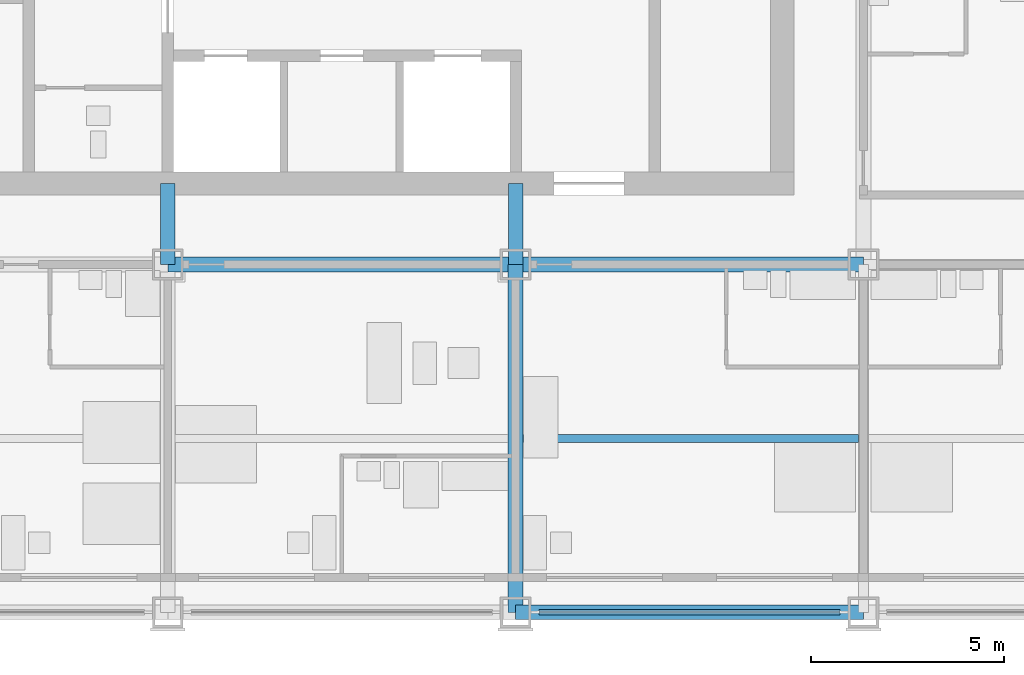
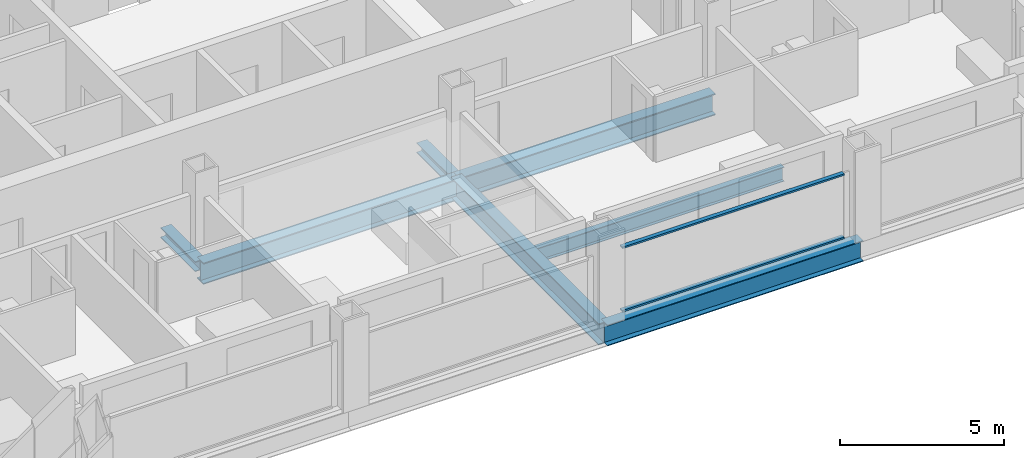
# One storey, part 3 of 13: 5 beams, 4 members, 1 element without a shape of its own.
"""IFC4 building model written with IfcOpenShell, lengths in metres."""

from ifc_helpers import new_model, si_unit, direction, frame, origin, origin_2d, place, context, subcontext, project, spatial, rectangle, i_section, extrude, material, material_profile, profile_set, type_object, element, aggregate, save


model = new_model("IFC4")

# Units and contexts
model_context = context("Model", 3, precision=1e-05, world=origin(), true_north=direction((0.0, 1.0)))
body_context = subcontext(model_context, "Body", "Model", "MODEL_VIEW")
ifc_project = project(units=[si_unit("LENGTHUNIT", "METRE"), si_unit("AREAUNIT", "SQUARE_METRE"), si_unit("VOLUMEUNIT", "CUBIC_METRE"), si_unit("PLANEANGLEUNIT", "RADIAN"), si_unit("MASSUNIT", "GRAM", prefix="KILO")], contexts=[model_context])

# Site, building, storey
site_placement = place(None, origin())
site = spatial("IfcSite", under=ifc_project, at=site_placement, CompositionType="ELEMENT")
building_placement = place(site_placement, origin())
building = spatial("IfcBuilding", under=site, at=building_placement, Name="Loomwork Tower", CompositionType="ELEMENT")
storey_placement = place(building_placement, frame((0.0, 0.0, 184.199951171875)))
storey = spatial("IfcBuildingStorey", under=building, at=storey_placement, Name="L50", CompositionType="ELEMENT", Elevation=184.199951171875)

# Beams
ifc_material_1 = material(Name="Steel ASTM A992", Category="steel")
ifc_material_profile_1 = material_profile(ifc_material_1, i_section(OverallWidth=0.383544921875, OverallDepth=0.794921875, WebThickness=0.02099609375, FlangeThickness=0.0380859375, at=origin_2d()), Name="W30x235")
ifc_profile_set_1 = profile_set([ifc_material_profile_1], Name="Steel ASTM A992")
beam_type_1 = type_object("IfcBeamType", Name="CORE FLANK GIRDER W30x235", PredefinedType="BEAM", material=ifc_profile_set_1)
for number, where, z_axis, x_axis, name in (
    (1, (18.0, 9.0, -0.597412109375), (1.0, 0.0, 0.0), (0.0, 1.0, 0.0), "Core Flank Girder E/4-E/5 L50"),
    (2, (27.0, 9.0, -0.597412109375), (1.0, 0.0, 0.0), (0.0, 1.0, 0.0), "Core Flank Girder E/5-E/6 L50"),
    (3, (27.0, 0.0, -0.597412109375), (0.0, 1.0, 0.0), (-1.0, 0.0, 0.0), "Core Flank Girder D/5-E/5 L50"),
):
    element("IfcBeam", number, at=place(storey_placement, frame(where, z_axis=z_axis, x_axis=x_axis)), inside=storey, type_object=beam_type_1, Name=name, PredefinedType="BEAM", context=body_context, shape_type="SweptSolid", body=[
        extrude(i_section(OverallWidth=0.383544921875, OverallDepth=0.794921875, WebThickness=0.02099609375, FlangeThickness=0.0380859375, at=origin_2d()), origin(), (0.0, 0.0, 1.0), 9.0),
    ])

# Members
ifc_material_2 = material(Name="Steel ASTM A992", Category="steel")
ifc_material_profile_2 = material_profile(ifc_material_2, i_section(OverallWidth=0.373291015625, OverallDepth=0.373291015625, WebThickness=0.016357421875, FlangeThickness=0.026123046875, at=origin_2d()), Name="W14x132")
ifc_profile_set_2 = profile_set([ifc_material_profile_2], Name="Steel ASTM A992")
member_type_1 = type_object("IfcMemberType", Name="CORE LINK STRUT W14x132", PredefinedType="STRUT", material=ifc_profile_set_2)
for number, where, z_axis, x_axis, name in (
    (4, (27.0, 9.0, -0.38671875), (0.0, 1.0, 0.0), (-1.0, 0.0, 0.0), "Core link strut E/5-27.000,11.100 L50"),
    (5, (18.0, 9.0, -0.38671875), (0.0, 1.0, 0.0), (-1.0, 0.0, 0.0), "Core link strut E/4-18.000,11.100 L50"),
):
    element("IfcMember", number, at=place(storey_placement, frame(where, z_axis=z_axis, x_axis=x_axis)), inside=storey, type_object=member_type_1, Name=name, PredefinedType="STRUT", context=body_context, shape_type="SweptSolid", body=[
        extrude(i_section(OverallWidth=0.373291015625, OverallDepth=0.373291015625, WebThickness=0.016357421875, FlangeThickness=0.026123046875, at=origin_2d()), origin(), (0.0, 0.0, 1.0), 2.10009765625),
    ])

# Beam
ifc_material_3 = material(Name="Steel ASTM A992", Category="steel")
ifc_material_profile_3 = material_profile(ifc_material_3, i_section(OverallWidth=0.2109375, OverallDepth=0.53857421875, WebThickness=0.011474609375, FlangeThickness=0.018798828125, at=origin_2d()), Name="W21x73")
ifc_profile_set_3 = profile_set([ifc_material_profile_3], Name="Steel ASTM A992")
beam_type_2 = type_object("IfcBeamType", Name="FLOOR JOIST W21x73", PredefinedType="JOIST", material=ifc_profile_set_3)
beam_1_placement = place(storey_placement, frame((27.19091796875, 4.5, -0.46923828125), z_axis=(1.0, 0.0, 0.0), x_axis=(0.0, 1.0, 0.0)))
element("IfcBeam", 6, at=beam_1_placement, inside=storey, type_object=beam_type_2, Name="Floor Joist 27.000,4.500-36.000,4.500 L50", PredefinedType="JOIST", context=body_context, shape_type="SweptSolid", body=[
    extrude(i_section(OverallWidth=0.2109375, OverallDepth=0.53857421875, WebThickness=0.011474609375, FlangeThickness=0.018798828125, at=origin_2d()), origin(), (0.0, 0.0, 1.0), 8.676025390625),
])

# Curtain wall, members
ifc_material_4 = material(Name="Aluminium curtain wall frame", Category="aluminium")
curtain_wall_type = type_object("IfcCurtainWallType", Name="Outer skin glazing hotel", PredefinedType="NOTDEFINED", material=ifc_material_4)
curtain_wall_placement = place(storey_placement, origin())
curtain_wall = element("IfcCurtainWall", 7, at=curtain_wall_placement, inside=storey, type_object=curtain_wall_type, Name="Outer skin glazing hotel cw/S-27", PredefinedType="NOTDEFINED")
ifc_material_5 = material(Name="Aluminium curtain wall frame", Category="aluminium")
ifc_material_profile_4 = material_profile(ifc_material_5, rectangle(XDim=0.14990234375, YDim=0.06494140625, at=origin_2d()), Name="AL 65x150")
ifc_profile_set_4 = profile_set([ifc_material_profile_4], Name="Aluminium curtain wall frame")
member_type_2 = type_object("IfcMemberType", Name="Outer skin glazing hotel transom", PredefinedType="USERDEFINED", material=ifc_profile_set_4)
member_1_placement = place(storey_placement, frame((27.60009765625, 0.0, 0.032470703125), z_axis=(1.0, 0.0, 0.0), x_axis=(0.0, 1.0, 0.0)))
member_1 = element("IfcMember", 8, at=member_1_placement, type_object=member_type_2, Name="CW1 transom 1.1", ObjectType="TRANSOM", PredefinedType="USERDEFINED", context=body_context, shape_type="SweptSolid", body=[
    extrude(rectangle(XDim=0.14990234375, YDim=0.06494140625, at=origin_2d()), origin(), (0.0, 0.0, 1.0), 7.7998046875),
])
member_2_placement = place(storey_placement, frame((27.60009765625, 0.0, 2.3876953125), z_axis=(1.0, 0.0, 0.0), x_axis=(0.0, 1.0, 0.0)))
member_2 = element("IfcMember", 9, at=member_2_placement, type_object=member_type_2, Name="CW1 transom 1.2", ObjectType="TRANSOM", PredefinedType="USERDEFINED", context=body_context, shape_type="SweptSolid", body=[
    extrude(rectangle(XDim=0.14990234375, YDim=0.06494140625, at=origin_2d()), origin(), (0.0, 0.0, 1.0), 7.7998046875),
])
aggregate(curtain_wall, [member_1, member_2])

# Beam
ifc_material_6 = material(Name="Steel ASTM A992", Category="steel")
ifc_material_profile_5 = material_profile(ifc_material_6, i_section(OverallWidth=0.381103515625, OverallDepth=0.77978515625, WebThickness=0.01806640625, FlangeThickness=0.0302734375, at=origin_2d()), Name="W30x191")
ifc_profile_set_5 = profile_set([ifc_material_profile_5], Name="Steel ASTM A992")
beam_type_3 = type_object("IfcBeamType", Name="SPANDREL GIRDER W30x191", PredefinedType="SPANDREL", material=ifc_profile_set_5)
beam_2_placement = place(storey_placement, frame((27.0, 0.0, -0.58984375), z_axis=(1.0, 0.0, 0.0), x_axis=(0.0, 1.0, 0.0)))
element("IfcBeam", 10, at=beam_2_placement, inside=storey, type_object=beam_type_3, Name="Spandrel Girder D/5-D/6 L50", PredefinedType="SPANDREL", context=body_context, shape_type="SweptSolid", body=[
    extrude(i_section(OverallWidth=0.381103515625, OverallDepth=0.77978515625, WebThickness=0.01806640625, FlangeThickness=0.0302734375, at=origin_2d()), origin(), (0.0, 0.0, 1.0), 9.0),
])

save(model, "model.ifc")
